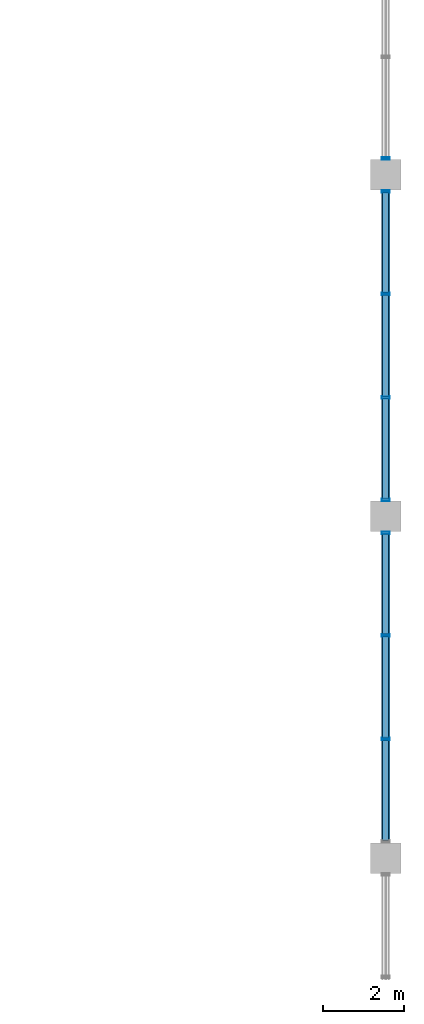
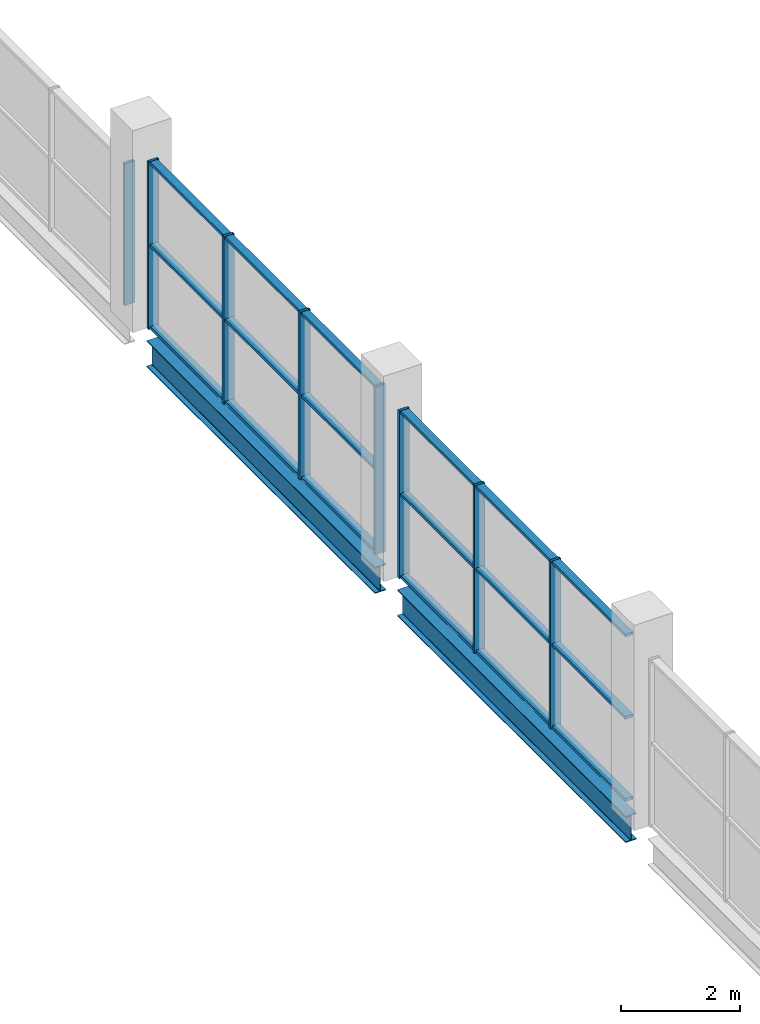
# One storey, part 27 of 68: 26 members, 2 beams, 3 elements without a shape of their own.
"""IFC4 building model written with IfcOpenShell, lengths in metres."""

from ifc_helpers import new_model, si_unit, direction, frame, origin, origin_2d, place, context, subcontext, project, spatial, hollow_rectangle, i_section, extrude, material, material_profile, profile_set, type_object, element, aggregate, save


model = new_model("IFC4")

# Units and contexts
model_context = context("Model", 3, precision=1e-05, world=origin(), true_north=direction((0.0, 1.0)))
body_context = subcontext(model_context, "Body", "Model", "MODEL_VIEW")
ifc_project = project(units=[si_unit("LENGTHUNIT", "METRE"), si_unit("AREAUNIT", "SQUARE_METRE"), si_unit("VOLUMEUNIT", "CUBIC_METRE"), si_unit("PLANEANGLEUNIT", "RADIAN"), si_unit("MASSUNIT", "GRAM", prefix="KILO"), si_unit("THERMODYNAMICTEMPERATUREUNIT", "KELVIN")], contexts=[model_context])

# Site, building, storey
site_placement = place(None, origin())
site = spatial("IfcSite", under=ifc_project, at=site_placement, CompositionType="ELEMENT")
building_placement = place(site_placement, origin())
building = spatial("IfcBuilding", under=site, at=building_placement, Name="Nduvali Passage Aquatics Centre", CompositionType="ELEMENT")
storey_placement = place(building_placement, frame((0.0, 0.0, 13.199951171875)))
storey = spatial("IfcBuildingStorey", under=building, at=storey_placement, Name="L03", CompositionType="ELEMENT", Elevation=13.199951171875)

# Curtain wall, members
ifc_material_1 = material(Name="Aluminium EN AW-6063 T6", Category="aluminium")
curtain_wall_type = type_object("IfcCurtainWallType", Name="ENV-CW-CLER", PredefinedType="NOTDEFINED", material=ifc_material_1)
curtain_wall_1_placement = place(storey_placement, origin())
curtain_wall_1 = element("IfcCurtainWall", 1, at=curtain_wall_1_placement, inside=storey, type_object=curtain_wall_type, Name="L03 East Passage Pool Hall High Arch Clerestory 036", PredefinedType="NOTDEFINED")
ifc_material_profile_1 = material_profile(ifc_material_1, hollow_rectangle(XDim=0.06005859375, YDim=0.199951171875, WallThickness=0.00390625, at=origin_2d()), Name="ALU MULLION 60x200x4")
ifc_profile_set_1 = profile_set([ifc_material_profile_1], Name="Aluminium EN AW-6063 T6")
member_type_1 = type_object("IfcMemberType", Name="ENV-MEM-MUL80", PredefinedType="MULLION", material=ifc_profile_set_1)
member_1_placement = place(storey_placement, frame((126.0, 70.125, 0.0), z_axis=(0.0, 0.0, 1.0), x_axis=(0.0, 1.0, 0.0)))
member_1 = element("IfcMember", 2, at=member_1_placement, type_object=member_type_1, Name="East Passage Pool Hall High Arch Clerestory Mullion 2", PredefinedType="MULLION", context=body_context, shape_type="SweptSolid", body=[
    extrude(hollow_rectangle(XDim=0.06005859375, YDim=0.199951171875, WallThickness=0.00390625, at=origin_2d()), origin(), (0.0, 0.0, 1.0), 3.4267578125),
])
member_2_placement = place(storey_placement, frame((126.0, 72.675048828125, 0.0), z_axis=(0.0, 0.0, 1.0), x_axis=(0.0, 1.0, 0.0)))
member_2 = element("IfcMember", 3, at=member_2_placement, type_object=member_type_1, Name="East Passage Pool Hall High Arch Clerestory Mullion 3", PredefinedType="MULLION", context=body_context, shape_type="SweptSolid", body=[
    extrude(hollow_rectangle(XDim=0.06005859375, YDim=0.199951171875, WallThickness=0.00390625, at=origin_2d()), origin(), (0.0, 0.0, 1.0), 3.4267578125),
])
member_3_placement = place(storey_placement, frame((126.0, 75.195068359375, 0.0), z_axis=(0.0, 0.0, 1.0), x_axis=(0.0, 1.0, 0.0)))
member_3 = element("IfcMember", 4, at=member_3_placement, type_object=member_type_1, Name="East Passage Pool Hall High Arch Clerestory Mullion 4", PredefinedType="MULLION", context=body_context, shape_type="SweptSolid", body=[
    extrude(hollow_rectangle(XDim=0.06005859375, YDim=0.199951171875, WallThickness=0.00390625, at=origin_2d()), origin(), (0.0, 0.0, 1.0), 3.4267578125),
])

curtain_wall_2_placement = place(storey_placement, origin())
curtain_wall_2 = element("IfcCurtainWall", 5, at=curtain_wall_2_placement, inside=storey, type_object=curtain_wall_type, Name="L03 East Passage Pool Hall High Arch Clerestory 040", PredefinedType="NOTDEFINED")
member_4_placement = place(storey_placement, frame((126.0, 76.0048828125, 0.0), z_axis=(0.0, 0.0, 1.0), x_axis=(0.0, 1.0, 0.0)))
member_4 = element("IfcMember", 6, at=member_4_placement, type_object=member_type_1, Name="East Passage Pool Hall High Arch Clerestory Mullion 1", PredefinedType="MULLION", context=body_context, shape_type="SweptSolid", body=[
    extrude(hollow_rectangle(XDim=0.06005859375, YDim=0.199951171875, WallThickness=0.00390625, at=origin_2d()), origin(), (0.0, 0.0, 1.0), 3.4267578125),
])
member_5_placement = place(storey_placement, frame((126.0, 78.52490234375, 0.0), z_axis=(0.0, 0.0, 1.0), x_axis=(0.0, 1.0, 0.0)))
member_5 = element("IfcMember", 7, at=member_5_placement, type_object=member_type_1, Name="East Passage Pool Hall High Arch Clerestory Mullion 2", PredefinedType="MULLION", context=body_context, shape_type="SweptSolid", body=[
    extrude(hollow_rectangle(XDim=0.06005859375, YDim=0.199951171875, WallThickness=0.00390625, at=origin_2d()), origin(), (0.0, 0.0, 1.0), 3.4267578125),
])
member_6_placement = place(storey_placement, frame((126.0, 81.074951171875, 0.0), z_axis=(0.0, 0.0, 1.0), x_axis=(0.0, 1.0, 0.0)))
member_6 = element("IfcMember", 8, at=member_6_placement, type_object=member_type_1, Name="East Passage Pool Hall High Arch Clerestory Mullion 3", PredefinedType="MULLION", context=body_context, shape_type="SweptSolid", body=[
    extrude(hollow_rectangle(XDim=0.06005859375, YDim=0.199951171875, WallThickness=0.00390625, at=origin_2d()), origin(), (0.0, 0.0, 1.0), 3.4267578125),
])
member_7_placement = place(storey_placement, frame((126.0, 83.594970703125, 0.0), z_axis=(0.0, 0.0, 1.0), x_axis=(0.0, 1.0, 0.0)))
member_7 = element("IfcMember", 9, at=member_7_placement, type_object=member_type_1, Name="East Passage Pool Hall High Arch Clerestory Mullion 4", PredefinedType="MULLION", context=body_context, shape_type="SweptSolid", body=[
    extrude(hollow_rectangle(XDim=0.06005859375, YDim=0.199951171875, WallThickness=0.00390625, at=origin_2d()), origin(), (0.0, 0.0, 1.0), 3.4267578125),
])

# Curtain wall, member
curtain_wall_3_placement = place(storey_placement, origin())
curtain_wall_3 = element("IfcCurtainWall", 10, at=curtain_wall_3_placement, inside=storey, type_object=curtain_wall_type, Name="L03 East Passage Pool Hall High Arch Clerestory 043", PredefinedType="NOTDEFINED")
member_8_placement = place(storey_placement, frame((126.0, 84.405029296875, 0.0), z_axis=(0.0, 0.0, 1.0), x_axis=(0.0, 1.0, 0.0)))
member_8 = element("IfcMember", 11, at=member_8_placement, type_object=member_type_1, Name="East Passage Pool Hall High Arch Clerestory Mullion 1", PredefinedType="MULLION", context=body_context, shape_type="SweptSolid", body=[
    extrude(hollow_rectangle(XDim=0.06005859375, YDim=0.199951171875, WallThickness=0.00390625, at=origin_2d()), origin(), (0.0, 0.0, 1.0), 2.900146484375),
])
aggregate(curtain_wall_3, [member_8])

# Member
ifc_material_profile_2 = material_profile(ifc_material_1, hollow_rectangle(XDim=0.14990234375, YDim=0.06005859375, WallThickness=0.00390625, at=origin_2d()), Name="ALU TRANSOM 150x60x4")
ifc_profile_set_2 = profile_set([ifc_material_profile_2], Name="Aluminium EN AW-6063 T6")
member_type_2 = type_object("IfcMemberType", Name="ENV-MEM-TRN80", PredefinedType="USERDEFINED", material=ifc_profile_set_2)
member_9_placement = place(storey_placement, frame((126.0, 67.635009765625, 0.030029296875), z_axis=(0.0, 1.0, 0.0), x_axis=(-1.0, 0.0, 0.0)))
member_9 = element("IfcMember", 12, at=member_9_placement, type_object=member_type_2, Name="East Passage Pool Hall High Arch Clerestory Transom B1-R0", ObjectType="TRANSOM", PredefinedType="USERDEFINED", context=body_context, shape_type="SweptSolid", body=[
    extrude(hollow_rectangle(XDim=0.14990234375, YDim=0.06005859375, WallThickness=0.00390625, at=origin_2d()), origin(), (0.0, 0.0, 1.0), 2.4599609375),
])

member_10_placement = place(storey_placement, frame((126.0, 67.635009765625, 1.71337890625), z_axis=(0.0, 1.0, 0.0), x_axis=(-1.0, 0.0, 0.0)))
member_10 = element("IfcMember", 13, at=member_10_placement, type_object=member_type_2, Name="East Passage Pool Hall High Arch Clerestory Transom B1-R1", ObjectType="TRANSOM", PredefinedType="USERDEFINED", context=body_context, shape_type="SweptSolid", body=[
    extrude(hollow_rectangle(XDim=0.14990234375, YDim=0.06005859375, WallThickness=0.00390625, at=origin_2d()), origin(), (0.0, 0.0, 1.0), 2.4599609375),
])

member_11_placement = place(storey_placement, frame((126.0, 67.635009765625, 3.396728515625), z_axis=(0.0, 1.0, 0.0), x_axis=(-1.0, 0.0, 0.0)))
member_11 = element("IfcMember", 14, at=member_11_placement, type_object=member_type_2, Name="East Passage Pool Hall High Arch Clerestory Transom B1-R2", ObjectType="TRANSOM", PredefinedType="USERDEFINED", context=body_context, shape_type="SweptSolid", body=[
    extrude(hollow_rectangle(XDim=0.14990234375, YDim=0.06005859375, WallThickness=0.00390625, at=origin_2d()), origin(), (0.0, 0.0, 1.0), 2.4599609375),
])

member_12_placement = place(storey_placement, frame((126.0, 70.155029296875, 0.030029296875), z_axis=(0.0, 1.0, 0.0), x_axis=(-1.0, 0.0, 0.0)))
member_12 = element("IfcMember", 15, at=member_12_placement, type_object=member_type_2, Name="East Passage Pool Hall High Arch Clerestory Transom B2-R0", ObjectType="TRANSOM", PredefinedType="USERDEFINED", context=body_context, shape_type="SweptSolid", body=[
    extrude(hollow_rectangle(XDim=0.14990234375, YDim=0.06005859375, WallThickness=0.00390625, at=origin_2d()), origin(), (0.0, 0.0, 1.0), 2.489990234375),
])

member_13_placement = place(storey_placement, frame((126.0, 70.155029296875, 1.71337890625), z_axis=(0.0, 1.0, 0.0), x_axis=(-1.0, 0.0, 0.0)))
member_13 = element("IfcMember", 16, at=member_13_placement, type_object=member_type_2, Name="East Passage Pool Hall High Arch Clerestory Transom B2-R1", ObjectType="TRANSOM", PredefinedType="USERDEFINED", context=body_context, shape_type="SweptSolid", body=[
    extrude(hollow_rectangle(XDim=0.14990234375, YDim=0.06005859375, WallThickness=0.00390625, at=origin_2d()), origin(), (0.0, 0.0, 1.0), 2.489990234375),
])

member_14_placement = place(storey_placement, frame((126.0, 70.155029296875, 3.396728515625), z_axis=(0.0, 1.0, 0.0), x_axis=(-1.0, 0.0, 0.0)))
member_14 = element("IfcMember", 17, at=member_14_placement, type_object=member_type_2, Name="East Passage Pool Hall High Arch Clerestory Transom B2-R2", ObjectType="TRANSOM", PredefinedType="USERDEFINED", context=body_context, shape_type="SweptSolid", body=[
    extrude(hollow_rectangle(XDim=0.14990234375, YDim=0.06005859375, WallThickness=0.00390625, at=origin_2d()), origin(), (0.0, 0.0, 1.0), 2.489990234375),
])

member_15_placement = place(storey_placement, frame((126.0, 72.705078125, 0.030029296875), z_axis=(0.0, 1.0, 0.0), x_axis=(-1.0, 0.0, 0.0)))
member_15 = element("IfcMember", 18, at=member_15_placement, type_object=member_type_2, Name="East Passage Pool Hall High Arch Clerestory Transom B3-R0", ObjectType="TRANSOM", PredefinedType="USERDEFINED", context=body_context, shape_type="SweptSolid", body=[
    extrude(hollow_rectangle(XDim=0.14990234375, YDim=0.06005859375, WallThickness=0.00390625, at=origin_2d()), origin(), (0.0, 0.0, 1.0), 2.4599609375),
])

member_16_placement = place(storey_placement, frame((126.0, 72.705078125, 1.71337890625), z_axis=(0.0, 1.0, 0.0), x_axis=(-1.0, 0.0, 0.0)))
member_16 = element("IfcMember", 19, at=member_16_placement, type_object=member_type_2, Name="East Passage Pool Hall High Arch Clerestory Transom B3-R1", ObjectType="TRANSOM", PredefinedType="USERDEFINED", context=body_context, shape_type="SweptSolid", body=[
    extrude(hollow_rectangle(XDim=0.14990234375, YDim=0.06005859375, WallThickness=0.00390625, at=origin_2d()), origin(), (0.0, 0.0, 1.0), 2.4599609375),
])

member_17_placement = place(storey_placement, frame((126.0, 72.705078125, 3.396728515625), z_axis=(0.0, 1.0, 0.0), x_axis=(-1.0, 0.0, 0.0)))
member_17 = element("IfcMember", 20, at=member_17_placement, type_object=member_type_2, Name="East Passage Pool Hall High Arch Clerestory Transom B3-R2", ObjectType="TRANSOM", PredefinedType="USERDEFINED", context=body_context, shape_type="SweptSolid", body=[
    extrude(hollow_rectangle(XDim=0.14990234375, YDim=0.06005859375, WallThickness=0.00390625, at=origin_2d()), origin(), (0.0, 0.0, 1.0), 2.4599609375),
])

aggregate(curtain_wall_1, [member_1, member_2, member_3, member_9, member_10, member_11, member_12, member_13, member_14, member_15, member_16, member_17])

member_18_placement = place(storey_placement, frame((126.0, 76.034912109375, 0.030029296875), z_axis=(0.0, 1.0, 0.0), x_axis=(-1.0, 0.0, 0.0)))
member_18 = element("IfcMember", 21, at=member_18_placement, type_object=member_type_2, Name="East Passage Pool Hall High Arch Clerestory Transom B1-R0", ObjectType="TRANSOM", PredefinedType="USERDEFINED", context=body_context, shape_type="SweptSolid", body=[
    extrude(hollow_rectangle(XDim=0.14990234375, YDim=0.06005859375, WallThickness=0.00390625, at=origin_2d()), origin(), (0.0, 0.0, 1.0), 2.460205078125),
])

member_19_placement = place(storey_placement, frame((126.0, 76.034912109375, 1.71337890625), z_axis=(0.0, 1.0, 0.0), x_axis=(-1.0, 0.0, 0.0)))
member_19 = element("IfcMember", 22, at=member_19_placement, type_object=member_type_2, Name="East Passage Pool Hall High Arch Clerestory Transom B1-R1", ObjectType="TRANSOM", PredefinedType="USERDEFINED", context=body_context, shape_type="SweptSolid", body=[
    extrude(hollow_rectangle(XDim=0.14990234375, YDim=0.06005859375, WallThickness=0.00390625, at=origin_2d()), origin(), (0.0, 0.0, 1.0), 2.460205078125),
])

member_20_placement = place(storey_placement, frame((126.0, 76.034912109375, 3.396728515625), z_axis=(0.0, 1.0, 0.0), x_axis=(-1.0, 0.0, 0.0)))
member_20 = element("IfcMember", 23, at=member_20_placement, type_object=member_type_2, Name="East Passage Pool Hall High Arch Clerestory Transom B1-R2", ObjectType="TRANSOM", PredefinedType="USERDEFINED", context=body_context, shape_type="SweptSolid", body=[
    extrude(hollow_rectangle(XDim=0.14990234375, YDim=0.06005859375, WallThickness=0.00390625, at=origin_2d()), origin(), (0.0, 0.0, 1.0), 2.460205078125),
])

member_21_placement = place(storey_placement, frame((126.0, 78.554931640625, 0.030029296875), z_axis=(0.0, 1.0, 0.0), x_axis=(-1.0, 0.0, 0.0)))
member_21 = element("IfcMember", 24, at=member_21_placement, type_object=member_type_2, Name="East Passage Pool Hall High Arch Clerestory Transom B2-R0", ObjectType="TRANSOM", PredefinedType="USERDEFINED", context=body_context, shape_type="SweptSolid", body=[
    extrude(hollow_rectangle(XDim=0.14990234375, YDim=0.06005859375, WallThickness=0.00390625, at=origin_2d()), origin(), (0.0, 0.0, 1.0), 2.489990234375),
])

member_22_placement = place(storey_placement, frame((126.0, 78.554931640625, 1.71337890625), z_axis=(0.0, 1.0, 0.0), x_axis=(-1.0, 0.0, 0.0)))
member_22 = element("IfcMember", 25, at=member_22_placement, type_object=member_type_2, Name="East Passage Pool Hall High Arch Clerestory Transom B2-R1", ObjectType="TRANSOM", PredefinedType="USERDEFINED", context=body_context, shape_type="SweptSolid", body=[
    extrude(hollow_rectangle(XDim=0.14990234375, YDim=0.06005859375, WallThickness=0.00390625, at=origin_2d()), origin(), (0.0, 0.0, 1.0), 2.489990234375),
])

member_23_placement = place(storey_placement, frame((126.0, 78.554931640625, 3.396728515625), z_axis=(0.0, 1.0, 0.0), x_axis=(-1.0, 0.0, 0.0)))
member_23 = element("IfcMember", 26, at=member_23_placement, type_object=member_type_2, Name="East Passage Pool Hall High Arch Clerestory Transom B2-R2", ObjectType="TRANSOM", PredefinedType="USERDEFINED", context=body_context, shape_type="SweptSolid", body=[
    extrude(hollow_rectangle(XDim=0.14990234375, YDim=0.06005859375, WallThickness=0.00390625, at=origin_2d()), origin(), (0.0, 0.0, 1.0), 2.489990234375),
])

member_24_placement = place(storey_placement, frame((126.0, 81.10498046875, 0.030029296875), z_axis=(0.0, 1.0, 0.0), x_axis=(-1.0, 0.0, 0.0)))
member_24 = element("IfcMember", 27, at=member_24_placement, type_object=member_type_2, Name="East Passage Pool Hall High Arch Clerestory Transom B3-R0", ObjectType="TRANSOM", PredefinedType="USERDEFINED", context=body_context, shape_type="SweptSolid", body=[
    extrude(hollow_rectangle(XDim=0.14990234375, YDim=0.06005859375, WallThickness=0.00390625, at=origin_2d()), origin(), (0.0, 0.0, 1.0), 2.4599609375),
])

member_25_placement = place(storey_placement, frame((126.0, 81.10498046875, 1.71337890625), z_axis=(0.0, 1.0, 0.0), x_axis=(-1.0, 0.0, 0.0)))
member_25 = element("IfcMember", 28, at=member_25_placement, type_object=member_type_2, Name="East Passage Pool Hall High Arch Clerestory Transom B3-R1", ObjectType="TRANSOM", PredefinedType="USERDEFINED", context=body_context, shape_type="SweptSolid", body=[
    extrude(hollow_rectangle(XDim=0.14990234375, YDim=0.06005859375, WallThickness=0.00390625, at=origin_2d()), origin(), (0.0, 0.0, 1.0), 2.4599609375),
])

member_26_placement = place(storey_placement, frame((126.0, 81.10498046875, 3.396728515625), z_axis=(0.0, 1.0, 0.0), x_axis=(-1.0, 0.0, 0.0)))
member_26 = element("IfcMember", 29, at=member_26_placement, type_object=member_type_2, Name="East Passage Pool Hall High Arch Clerestory Transom B3-R2", ObjectType="TRANSOM", PredefinedType="USERDEFINED", context=body_context, shape_type="SweptSolid", body=[
    extrude(hollow_rectangle(XDim=0.14990234375, YDim=0.06005859375, WallThickness=0.00390625, at=origin_2d()), origin(), (0.0, 0.0, 1.0), 2.4599609375),
])

aggregate(curtain_wall_2, [member_4, member_5, member_6, member_7, member_18, member_19, member_20, member_21, member_22, member_23, member_24, member_25, member_26])

# Beams
ifc_material_2 = material(Name="Steel S355", Category="steel")
ifc_material_profile_3 = material_profile(ifc_material_2, i_section(OverallWidth=0.210693359375, OverallDepth=0.53955078125, WebThickness=0.01171875, FlangeThickness=0.018798828125, FilletRadius=0.0126953125, at=origin_2d()), Name="UKB 533x210x109")
ifc_profile_set_3 = profile_set([ifc_material_profile_3], Name="Steel S355")
beam_type = type_object("IfcBeamType", Name="STR-BM-UKB533-EXT", PredefinedType="BEAM", material=ifc_profile_set_3)
beam_1_placement = place(storey_placement, frame((126.0, 67.574951171875, -0.523681640625), z_axis=(0.0, 1.0, 0.0), x_axis=(-1.0, 0.0, 0.0)))
element("IfcBeam", 30, at=beam_1_placement, inside=storey, type_object=beam_type, Name="L03 Primary Y-Girder B6E-1278", PredefinedType="BEAM", context=body_context, shape_type="SweptSolid", body=[
    extrude(i_section(OverallWidth=0.210693359375, OverallDepth=0.53955078125, WebThickness=0.01171875, FlangeThickness=0.018798828125, FilletRadius=0.0126953125, at=origin_2d()), origin(), (0.0, 0.0, 1.0), 7.650146484375),
])
beam_2_placement = place(storey_placement, frame((126.0, 75.97509765625, -0.523681640625), z_axis=(0.0, 1.0, 0.0), x_axis=(-1.0, 0.0, 0.0)))
element("IfcBeam", 31, at=beam_2_placement, inside=storey, type_object=beam_type, Name="L03 Primary Y-Girder B6E-1279", PredefinedType="BEAM", context=body_context, shape_type="SweptSolid", body=[
    extrude(i_section(OverallWidth=0.210693359375, OverallDepth=0.53955078125, WebThickness=0.01171875, FlangeThickness=0.018798828125, FilletRadius=0.0126953125, at=origin_2d()), origin(), (0.0, 0.0, 1.0), 7.64990234375),
])

save(model, "model.ifc")
